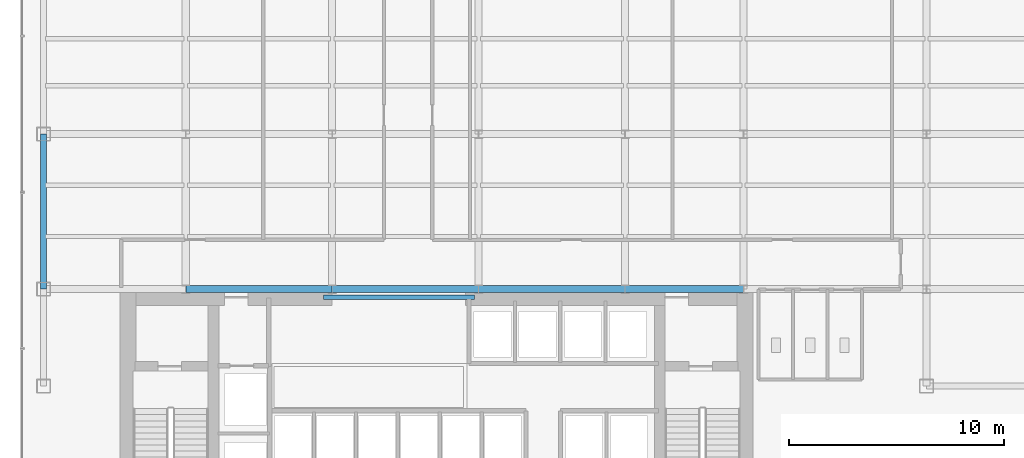
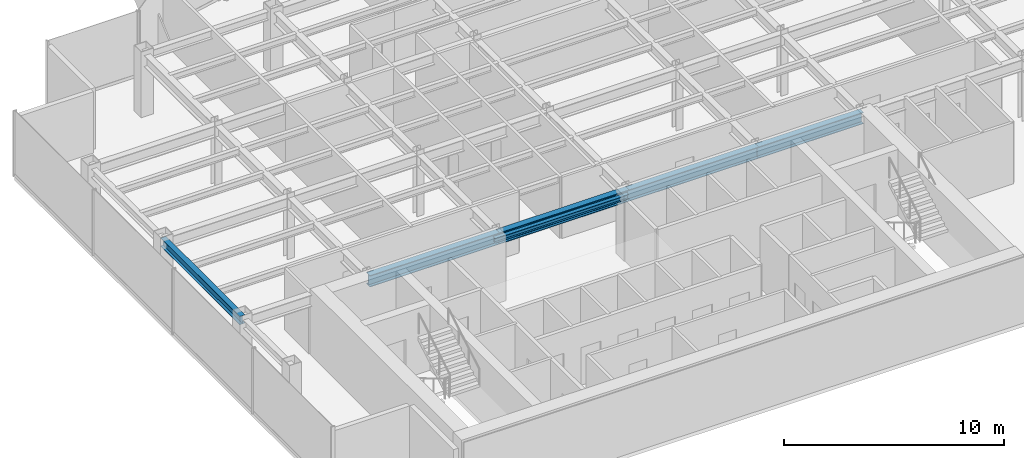
# One storey, part 4 of 25: 6 beams.
"""IFC4 building model written with IfcOpenShell, lengths in metres."""

from ifc_helpers import new_model, si_unit, derived_unit, direction, frame, origin, origin_2d, place, context, subcontext, project, spatial, i_section, extrude, source, transform, mapped, material, material_profile, profile_set, type_object, element, save


model = new_model("IFC4")

# Units and contexts
model_context = context("Model", 3, precision=1e-05, world=origin(), true_north=direction((0.0, 1.0)))
body_context = subcontext(model_context, "Body", "Model", "MODEL_VIEW")
ifc_project = project(units=[si_unit("LENGTHUNIT", "METRE"), si_unit("AREAUNIT", "SQUARE_METRE"), si_unit("VOLUMEUNIT", "CUBIC_METRE"), si_unit("PLANEANGLEUNIT", "RADIAN"), si_unit("MASSUNIT", "GRAM", prefix="KILO"), derived_unit("THERMALTRANSMITTANCEUNIT", [(si_unit("POWERUNIT", "WATT"), 1), (si_unit("LENGTHUNIT", "METRE"), -2), (si_unit("THERMODYNAMICTEMPERATUREUNIT", "KELVIN"), -1)])], contexts=[model_context])

# Site, building, storey
site_placement = place(None, origin())
site = spatial("IfcSite", under=ifc_project, at=site_placement, CompositionType="ELEMENT")
building_placement = place(site_placement, origin())
building = spatial("IfcBuilding", under=site, at=building_placement, Name="Skarnbrae Concourse Arena and Tower", CompositionType="ELEMENT")
storey_placement = place(building_placement, frame((0.0, 0.0, 173.449951171875)))
storey = spatial("IfcBuildingStorey", under=building, at=storey_placement, Name="L44", CompositionType="ELEMENT", Elevation=173.449951171875)

# Beams
ifc_material = material(Name="Steel CSA G40.21 350W", Category="steel")
ifc_material_profile_1 = material_profile(ifc_material, i_section(OverallWidth=0.202880859375, OverallDepth=0.251953125, WebThickness=0.008056640625, FlangeThickness=0.013427734375, at=origin_2d()), Name="W250X58")
ifc_profile_set_1 = profile_set([ifc_material_profile_1], Name="Steel CSA G40.21 350W")
beam_type_1 = type_object("IfcBeamType", Name="BM-LINTEL-W250X58", PredefinedType="LINTEL", material=ifc_profile_set_1)
shared_shape_1 = source(origin(), body_context, "Body", "SweptSolid", [
    extrude(i_section(OverallWidth=0.202880859375, OverallDepth=0.251953125, WebThickness=0.008056640625, FlangeThickness=0.013427734375, at=origin_2d()), origin(), (0.0, 0.0, 1.0), 7.0),
])
beam_1_placement = place(storey_placement, frame((14.0, 13.625, 3.274169921875), z_axis=(1.0, 0.0, 0.0), x_axis=(0.0, 1.0, 0.0)))
element("IfcBeam", 1, at=beam_1_placement, inside=storey, type_object=beam_type_1, Name="L44 Core portal coupling lintel", PredefinedType="LINTEL", context=body_context, shape_type="MappedRepresentation", body=[
    mapped(shared_shape_1, transform((0.0, 0.0, 0.0))),
])
ifc_material_profile_2 = material_profile(ifc_material, i_section(OverallWidth=0.3291015625, OverallDepth=0.635009765625, WebThickness=0.017822265625, FlangeThickness=0.031005859375, at=origin_2d()), Name="W610X241")
ifc_profile_set_2 = profile_set([ifc_material_profile_2], Name="Steel CSA G40.21 350W")
beam_type_2 = type_object("IfcBeamType", Name="BM-GIRD-W610X241", PredefinedType="BEAM", material=ifc_profile_set_2)
shared_shape_2 = source(origin(), body_context, "Body", "SweptSolid", [
    extrude(i_section(OverallWidth=0.3291015625, OverallDepth=0.635009765625, WebThickness=0.017822265625, FlangeThickness=0.031005859375, at=origin_2d()), origin(), (0.0, 0.0, 1.0), 6.7998046875),
])
beam_2_placement = place(storey_placement, frame((7.60009765625, 14.0, 3.08251953125), z_axis=(1.0, 0.0, 0.0), x_axis=(0.0, 1.0, 0.0)))
element("IfcBeam", 2, at=beam_2_placement, inside=storey, type_object=beam_type_2, Name="L44 Primary E-W girder Y14.0-2", PredefinedType="BEAM", context=body_context, shape_type="MappedRepresentation", body=[
    mapped(shared_shape_2, transform((0.0, 0.0, 0.0))),
])
shared_shape_3 = source(origin(), body_context, "Body", "SweptSolid", [
    extrude(i_section(OverallWidth=0.3291015625, OverallDepth=0.635009765625, WebThickness=0.017822265625, FlangeThickness=0.031005859375, at=origin_2d()), origin(), (0.0, 0.0, 1.0), 6.800048828125),
])
for number, where, z_axis, x_axis, name in (
    (3, (14.39990234375, 14.0, 3.08251953125), (1.0, 0.0, 0.0), (0.0, 1.0, 0.0), "L44 Primary E-W girder Y14.0-3"),
    (4, (21.199951171875, 14.0, 3.08251953125), (1.0, 0.0, 0.0), (0.0, 1.0, 0.0), "L44 Primary E-W girder Y14.0-4"),
):
    element("IfcBeam", number, at=place(storey_placement, frame(where, z_axis=z_axis, x_axis=x_axis)), inside=storey, type_object=beam_type_2, Name=name, PredefinedType="BEAM", context=body_context, shape_type="MappedRepresentation", body=[
        mapped(shared_shape_3, transform((0.0, 0.0, 0.0))),
    ])
shared_shape_4 = source(origin(), body_context, "Body", "SweptSolid", [
    extrude(i_section(OverallWidth=0.3291015625, OverallDepth=0.635009765625, WebThickness=0.017822265625, FlangeThickness=0.031005859375, at=origin_2d()), origin(), (0.0, 0.0, 1.0), 5.5),
])
beam_3_placement = place(storey_placement, frame((28.0, 14.0, 3.08251953125), z_axis=(1.0, 0.0, 0.0), x_axis=(0.0, 1.0, 0.0)))
element("IfcBeam", 5, at=beam_3_placement, inside=storey, type_object=beam_type_2, Name="L44 Primary E-W girder Y14.0-5", PredefinedType="BEAM", context=body_context, shape_type="MappedRepresentation", body=[
    mapped(shared_shape_4, transform((0.0, 0.0, 0.0))),
])
ifc_material_profile_3 = material_profile(ifc_material, i_section(OverallWidth=0.280029296875, OverallDepth=0.462890625, WebThickness=0.0107421875, FlangeThickness=0.017333984375, at=origin_2d()), Name="W460X113")
ifc_profile_set_3 = profile_set([ifc_material_profile_3], Name="Steel CSA G40.21 350W")
beam_type_3 = type_object("IfcBeamType", Name="BM-SPAN-W460X113", PredefinedType="SPANDREL", material=ifc_profile_set_3)
shared_shape_5 = source(origin(), body_context, "Body", "SweptSolid", [
    extrude(i_section(OverallWidth=0.280029296875, OverallDepth=0.462890625, WebThickness=0.0107421875, FlangeThickness=0.017333984375, at=origin_2d()), origin(), (0.0, 0.0, 1.0), 7.199951171875),
])
beam_4_placement = place(storey_placement, frame((1.0, 14.0, 3.16845703125), z_axis=(0.0, 1.0, 0.0), x_axis=(-1.0, 0.0, 0.0)))
element("IfcBeam", 6, at=beam_4_placement, inside=storey, type_object=beam_type_3, Name="L44 Perimeter spandrel X1.0-2", PredefinedType="SPANDREL", context=body_context, shape_type="MappedRepresentation", body=[
    mapped(shared_shape_5, transform((0.0, 0.0, 0.0))),
])

save(model, "model.ifc")
